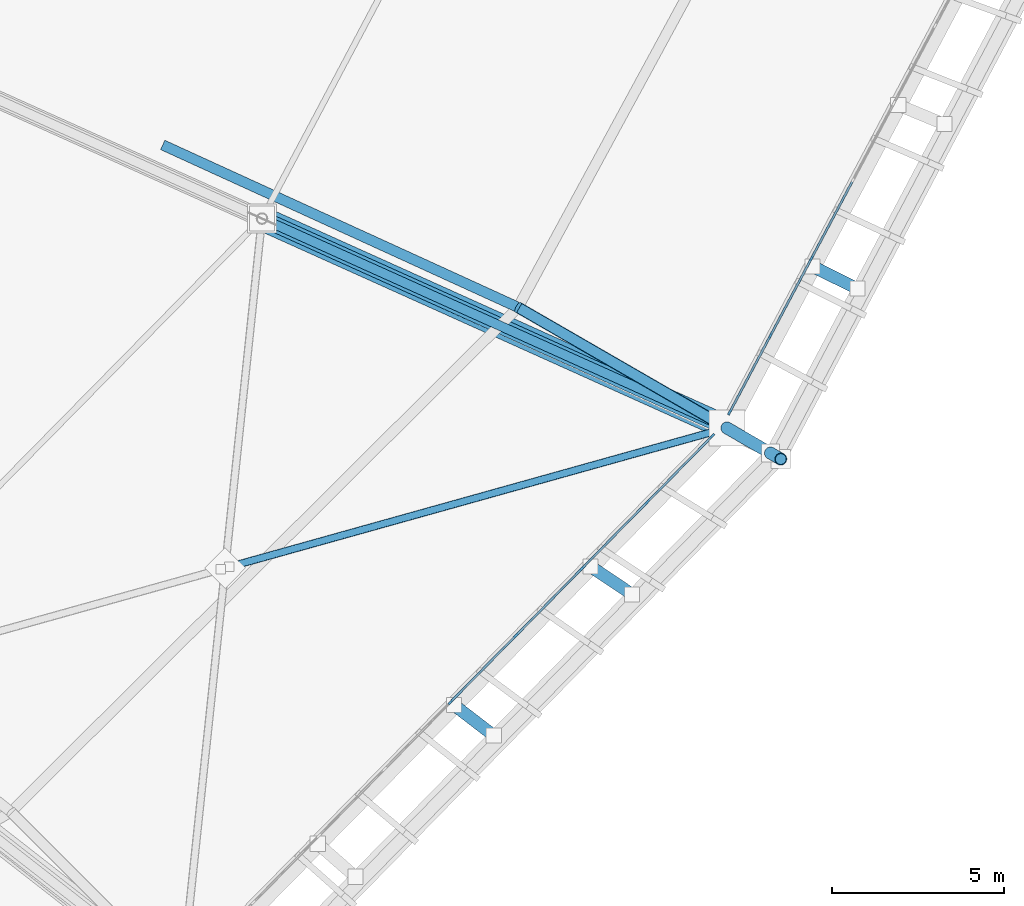
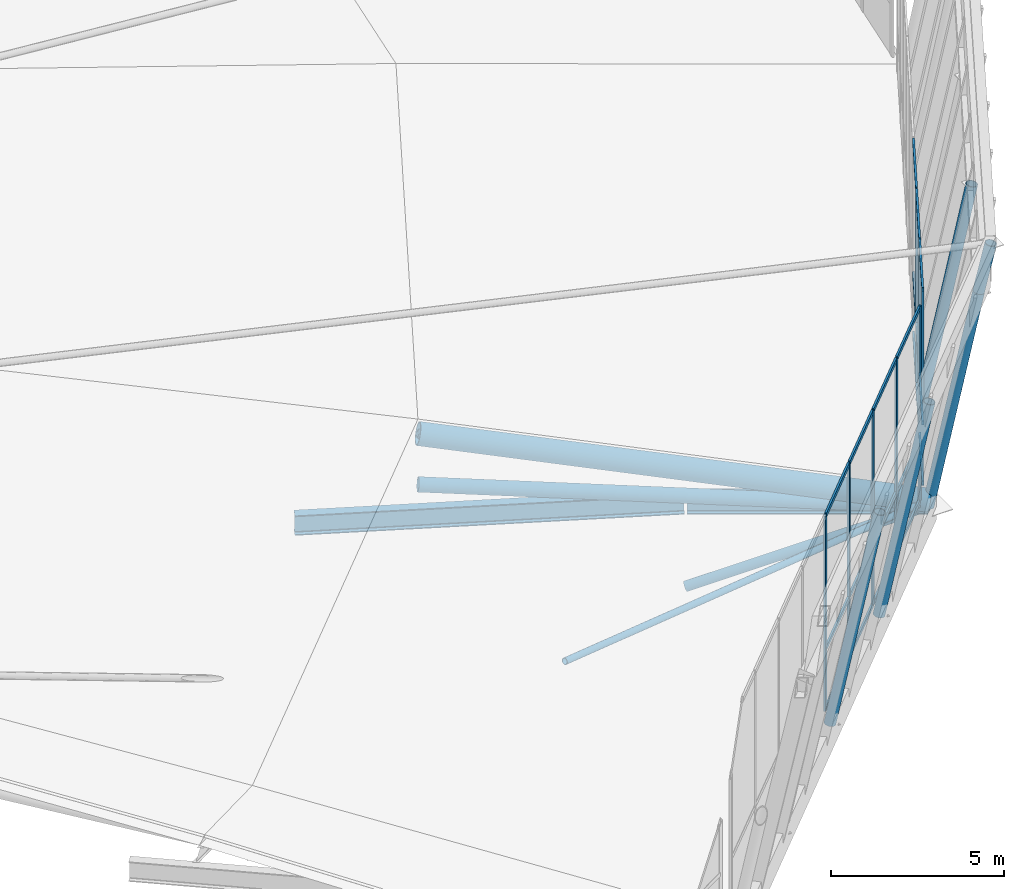
# One storey, part 45 of 115: 39 members, 2 beams, 2 elements without a shape of their own.
"""IFC4 building model written with IfcOpenShell, lengths in metres."""

from ifc_helpers import new_model, si_unit, direction, frame, origin, origin_2d, place, context, subcontext, project, spatial, rectangle, hollow_circle, i_section, extrude, material, material_profile, profile_set, type_object, element, aggregate, save


model = new_model("IFC4")

# Units and contexts
model_context = context("Model", 3, precision=1e-05, world=origin(), true_north=direction((0.0, 1.0)))
body_context = subcontext(model_context, "Body", "Model", "MODEL_VIEW")
ifc_project = project(units=[si_unit("LENGTHUNIT", "METRE"), si_unit("AREAUNIT", "SQUARE_METRE"), si_unit("VOLUMEUNIT", "CUBIC_METRE"), si_unit("PLANEANGLEUNIT", "RADIAN"), si_unit("MASSUNIT", "GRAM", prefix="KILO")], contexts=[model_context])

# Site, building, storey
site_placement = place(None, origin())
site = spatial("IfcSite", under=ifc_project, at=site_placement, CompositionType="ELEMENT")
building_placement = place(site_placement, origin())
building = spatial("IfcBuilding", under=site, at=building_placement, Name="Zlatoyarsky Gate Stadium", CompositionType="ELEMENT")
storey_placement = place(building_placement, frame((0.0, 0.0, 31.800048828125)))
storey = spatial("IfcBuildingStorey", under=building, at=storey_placement, Name="RF", CompositionType="ELEMENT", Elevation=31.800048828125)

# Curtain wall, members
ifc_material_1 = material(Name="Thermally broken anodised aluminium curtain wall", Category="aluminium")
curtain_wall_type = type_object("IfcCurtainWallType", Name="UNITISED SKYBOX RING GLAZING L05", PredefinedType="USERDEFINED", material=ifc_material_1)
curtain_wall_1_placement = place(storey_placement, origin())
curtain_wall_1 = element("IfcCurtainWall", 1, at=curtain_wall_1_placement, inside=storey, type_object=curtain_wall_type, Name="Curtain wall CW-RF-21", ObjectType="UNITISED GLAZING", PredefinedType="USERDEFINED")
ifc_material_2 = material(Name="Anodised aluminium 6063-T6", Category="aluminium")
ifc_material_profile_1 = material_profile(ifc_material_2, rectangle(XDim=0.06494140625, YDim=0.159912109375, at=origin_2d()), Name="ALU 65X160")
ifc_profile_set_1 = profile_set([ifc_material_profile_1], Name="Anodised aluminium 6063-T6")
member_type_1 = type_object("IfcMemberType", Name="ALUMINIUM MULLION 65X160", PredefinedType="MULLION", material=ifc_profile_set_1)
member_1_placement = place(storey_placement, frame((189.568115234375, 32.99072265625, 0.0), z_axis=(0.0, 0.0, 1.0), x_axis=(-0.712766053473, 0.701401848456, 0.0)))
member_1 = element("IfcMember", 2, at=member_1_placement, type_object=member_type_1, Name="CW-UG5 mullion 5", PredefinedType="MULLION", context=body_context, shape_type="SweptSolid", body=[
    extrude(rectangle(XDim=0.06494140625, YDim=0.159912109375, at=origin_2d()), origin(), (0.0, 0.0, 1.0), 6.89990234375),
])
member_2_placement = place(storey_placement, frame((191.482421875, 34.935791015625, 0.0), z_axis=(0.0, 0.0, 1.0), x_axis=(-0.712766053473, 0.701401848456, 0.0)))
member_2 = element("IfcMember", 3, at=member_2_placement, type_object=member_type_1, Name="CW-UG5 mullion 6", PredefinedType="MULLION", context=body_context, shape_type="SweptSolid", body=[
    extrude(rectangle(XDim=0.06494140625, YDim=0.159912109375, at=origin_2d()), origin(), (0.0, 0.0, 1.0), 6.89990234375),
])
member_3_placement = place(storey_placement, frame((193.396484375, 36.880859375, 0.0), z_axis=(0.0, 0.0, 1.0), x_axis=(-0.712766053473, 0.701401848456, 0.0)))
member_3 = element("IfcMember", 4, at=member_3_placement, type_object=member_type_1, Name="CW-UG5 mullion 7", PredefinedType="MULLION", context=body_context, shape_type="SweptSolid", body=[
    extrude(rectangle(XDim=0.06494140625, YDim=0.159912109375, at=origin_2d()), origin(), (0.0, 0.0, 1.0), 6.89990234375),
])
member_4_placement = place(storey_placement, frame((195.310546875, 38.825927734375, 0.0), z_axis=(0.0, 0.0, 1.0), x_axis=(-0.712766053473, 0.701401848456, 0.0)))
member_4 = element("IfcMember", 5, at=member_4_placement, type_object=member_type_1, Name="CW-UG5 mullion 8", PredefinedType="MULLION", context=body_context, shape_type="SweptSolid", body=[
    extrude(rectangle(XDim=0.06494140625, YDim=0.159912109375, at=origin_2d()), origin(), (0.0, 0.0, 1.0), 6.89990234375),
])
member_5_placement = place(storey_placement, frame((197.201904296875, 40.748046875, 0.0), z_axis=(0.0, 0.0, 1.0), x_axis=(-0.712766053473, 0.701401848456, 0.0)))
member_5 = element("IfcMember", 6, at=member_5_placement, type_object=member_type_1, Name="CW-UG5 mullion 9", PredefinedType="MULLION", context=body_context, shape_type="SweptSolid", body=[
    extrude(rectangle(XDim=0.06494140625, YDim=0.159912109375, at=origin_2d()), origin(), (0.0, 0.0, 1.0), 6.89990234375),
])

curtain_wall_2_placement = place(storey_placement, origin())
curtain_wall_2 = element("IfcCurtainWall", 7, at=curtain_wall_2_placement, inside=storey, type_object=curtain_wall_type, Name="Curtain wall CW-RF-22", ObjectType="UNITISED GLAZING", PredefinedType="USERDEFINED")
member_6_placement = place(storey_placement, frame((197.708251953125, 41.438232421875, 0.0), z_axis=(0.0, 0.0, 1.0), x_axis=(-0.883130898599, 0.469126652345, 0.0)))
member_6 = element("IfcMember", 8, at=member_6_placement, type_object=member_type_1, Name="CW-UG5 mullion 1", PredefinedType="MULLION", context=body_context, shape_type="SweptSolid", body=[
    extrude(rectangle(XDim=0.06494140625, YDim=0.159912109375, at=origin_2d()), origin(), (0.0, 0.0, 1.0), 6.89990234375),
])
member_7_placement = place(storey_placement, frame((198.893310546875, 43.669189453125, 0.0), z_axis=(0.0, 0.0, 1.0), x_axis=(-0.883130898599, 0.469126652345, 0.0)))
member_7 = element("IfcMember", 9, at=member_7_placement, type_object=member_type_1, Name="CW-UG5 mullion 2", PredefinedType="MULLION", context=body_context, shape_type="SweptSolid", body=[
    extrude(rectangle(XDim=0.06494140625, YDim=0.159912109375, at=origin_2d()), origin(), (0.0, 0.0, 1.0), 6.89990234375),
])
member_8_placement = place(storey_placement, frame((200.09375, 45.92919921875, 0.0), z_axis=(0.0, 0.0, 1.0), x_axis=(-0.883130898599, 0.469126652345, 0.0)))
member_8 = element("IfcMember", 10, at=member_8_placement, type_object=member_type_1, Name="CW-UG5 mullion 3", PredefinedType="MULLION", context=body_context, shape_type="SweptSolid", body=[
    extrude(rectangle(XDim=0.06494140625, YDim=0.159912109375, at=origin_2d()), origin(), (0.0, 0.0, 1.0), 6.89990234375),
])

# Member
ifc_material_profile_2 = material_profile(ifc_material_2, rectangle(XDim=0.06494140625, YDim=0.139892578125, at=origin_2d()), Name="ALU 65X140")
ifc_profile_set_2 = profile_set([ifc_material_profile_2], Name="Anodised aluminium 6063-T6")
member_type_2 = type_object("IfcMemberType", Name="ALUMINIUM TRANSOM 65X140", PredefinedType="USERDEFINED", material=ifc_profile_set_2)
member_9_placement = place(storey_placement, frame((189.591064453125, 33.013916015625, 0.032470703125), z_axis=(0.701401615361, 0.712766282851, 0.0), x_axis=(-0.712766282851, 0.701401615361, 0.0)))
member_9 = element("IfcMember", 11, at=member_9_placement, type_object=member_type_2, Name="CW-UG5 transom 5.1", ObjectType="TRANSOM", PredefinedType="USERDEFINED", context=body_context, shape_type="SweptSolid", body=[
    extrude(rectangle(XDim=0.06494140625, YDim=0.139892578125, at=origin_2d()), origin(), (0.0, 0.0, 1.0), 2.663818359375),
])

member_10_placement = place(storey_placement, frame((189.591064453125, 33.013916015625, 2.14990234375), z_axis=(0.701401615361, 0.712766282851, 0.0), x_axis=(-0.712766282851, 0.701401615361, 0.0)))
member_10 = element("IfcMember", 12, at=member_10_placement, type_object=member_type_2, Name="CW-UG5 transom 5.2", ObjectType="TRANSOM", PredefinedType="USERDEFINED", context=body_context, shape_type="SweptSolid", body=[
    extrude(rectangle(XDim=0.06494140625, YDim=0.139892578125, at=origin_2d()), origin(), (0.0, 0.0, 1.0), 2.663818359375),
])

member_11_placement = place(storey_placement, frame((189.591064453125, 33.013916015625, 6.867431640625), z_axis=(0.701401615361, 0.712766282851, 0.0), x_axis=(-0.712766282851, 0.701401615361, 0.0)))
member_11 = element("IfcMember", 13, at=member_11_placement, type_object=member_type_2, Name="CW-UG5 transom 5.3", ObjectType="TRANSOM", PredefinedType="USERDEFINED", context=body_context, shape_type="SweptSolid", body=[
    extrude(rectangle(XDim=0.06494140625, YDim=0.139892578125, at=origin_2d()), origin(), (0.0, 0.0, 1.0), 2.663818359375),
])

member_12_placement = place(storey_placement, frame((191.505126953125, 34.958984375, 0.032470703125), z_axis=(0.701401615361, 0.712766282851, 0.0), x_axis=(-0.712766282851, 0.701401615361, 0.0)))
member_12 = element("IfcMember", 14, at=member_12_placement, type_object=member_type_2, Name="CW-UG5 transom 6.1", ObjectType="TRANSOM", PredefinedType="USERDEFINED", context=body_context, shape_type="SweptSolid", body=[
    extrude(rectangle(XDim=0.06494140625, YDim=0.139892578125, at=origin_2d()), origin(), (0.0, 0.0, 1.0), 2.663818359375),
])

member_13_placement = place(storey_placement, frame((191.505126953125, 34.958984375, 2.14990234375), z_axis=(0.701401615361, 0.712766282851, 0.0), x_axis=(-0.712766282851, 0.701401615361, 0.0)))
member_13 = element("IfcMember", 15, at=member_13_placement, type_object=member_type_2, Name="CW-UG5 transom 6.2", ObjectType="TRANSOM", PredefinedType="USERDEFINED", context=body_context, shape_type="SweptSolid", body=[
    extrude(rectangle(XDim=0.06494140625, YDim=0.139892578125, at=origin_2d()), origin(), (0.0, 0.0, 1.0), 2.663818359375),
])

member_14_placement = place(storey_placement, frame((191.505126953125, 34.958984375, 6.867431640625), z_axis=(0.701401615361, 0.712766282851, 0.0), x_axis=(-0.712766282851, 0.701401615361, 0.0)))
member_14 = element("IfcMember", 16, at=member_14_placement, type_object=member_type_2, Name="CW-UG5 transom 6.3", ObjectType="TRANSOM", PredefinedType="USERDEFINED", context=body_context, shape_type="SweptSolid", body=[
    extrude(rectangle(XDim=0.06494140625, YDim=0.139892578125, at=origin_2d()), origin(), (0.0, 0.0, 1.0), 2.663818359375),
])

member_15_placement = place(storey_placement, frame((193.419189453125, 36.904052734375, 0.032470703125), z_axis=(0.701401615361, 0.712766282851, 0.0), x_axis=(-0.712766282851, 0.701401615361, 0.0)))
member_15 = element("IfcMember", 17, at=member_15_placement, type_object=member_type_2, Name="CW-UG5 transom 7.1", ObjectType="TRANSOM", PredefinedType="USERDEFINED", context=body_context, shape_type="SweptSolid", body=[
    extrude(rectangle(XDim=0.06494140625, YDim=0.139892578125, at=origin_2d()), origin(), (0.0, 0.0, 1.0), 2.663818359375),
])

member_16_placement = place(storey_placement, frame((193.419189453125, 36.904052734375, 2.14990234375), z_axis=(0.701401615361, 0.712766282851, 0.0), x_axis=(-0.712766282851, 0.701401615361, 0.0)))
member_16 = element("IfcMember", 18, at=member_16_placement, type_object=member_type_2, Name="CW-UG5 transom 7.2", ObjectType="TRANSOM", PredefinedType="USERDEFINED", context=body_context, shape_type="SweptSolid", body=[
    extrude(rectangle(XDim=0.06494140625, YDim=0.139892578125, at=origin_2d()), origin(), (0.0, 0.0, 1.0), 2.663818359375),
])

member_17_placement = place(storey_placement, frame((193.419189453125, 36.904052734375, 6.867431640625), z_axis=(0.701401615361, 0.712766282851, 0.0), x_axis=(-0.712766282851, 0.701401615361, 0.0)))
member_17 = element("IfcMember", 19, at=member_17_placement, type_object=member_type_2, Name="CW-UG5 transom 7.3", ObjectType="TRANSOM", PredefinedType="USERDEFINED", context=body_context, shape_type="SweptSolid", body=[
    extrude(rectangle(XDim=0.06494140625, YDim=0.139892578125, at=origin_2d()), origin(), (0.0, 0.0, 1.0), 2.663818359375),
])

member_18_placement = place(storey_placement, frame((195.333251953125, 38.84912109375, 0.032470703125), z_axis=(0.701378106075, 0.712789416531, 0.0), x_axis=(-0.712789416531, 0.701378106075, 0.0)))
member_18 = element("IfcMember", 20, at=member_18_placement, type_object=member_type_2, Name="CW-UG5 transom 8.1", ObjectType="TRANSOM", PredefinedType="USERDEFINED", context=body_context, shape_type="SweptSolid", body=[
    extrude(rectangle(XDim=0.06494140625, YDim=0.139892578125, at=origin_2d()), origin(), (0.0, 0.0, 1.0), 2.631591796875),
])

member_19_placement = place(storey_placement, frame((195.333251953125, 38.84912109375, 2.14990234375), z_axis=(0.701378106075, 0.712789416531, 0.0), x_axis=(-0.712789416531, 0.701378106075, 0.0)))
member_19 = element("IfcMember", 21, at=member_19_placement, type_object=member_type_2, Name="CW-UG5 transom 8.2", ObjectType="TRANSOM", PredefinedType="USERDEFINED", context=body_context, shape_type="SweptSolid", body=[
    extrude(rectangle(XDim=0.06494140625, YDim=0.139892578125, at=origin_2d()), origin(), (0.0, 0.0, 1.0), 2.631591796875),
])

member_20_placement = place(storey_placement, frame((195.333251953125, 38.84912109375, 6.867431640625), z_axis=(0.701378106075, 0.712789416531, 0.0), x_axis=(-0.712789416531, 0.701378106075, 0.0)))
member_20 = element("IfcMember", 22, at=member_20_placement, type_object=member_type_2, Name="CW-UG5 transom 8.3", ObjectType="TRANSOM", PredefinedType="USERDEFINED", context=body_context, shape_type="SweptSolid", body=[
    extrude(rectangle(XDim=0.06494140625, YDim=0.139892578125, at=origin_2d()), origin(), (0.0, 0.0, 1.0), 2.631591796875),
])

aggregate(curtain_wall_1, [member_1, member_2, member_3, member_4, member_5, member_9, member_10, member_11, member_12, member_13, member_14, member_15, member_16, member_17, member_18, member_19, member_20])

member_21_placement = place(storey_placement, frame((197.723388671875, 41.466796875, 0.032470703125), z_axis=(0.469135887796, 0.883125992587, 0.0), x_axis=(-0.883125992587, 0.469135887796, 0.0)))
member_21 = element("IfcMember", 23, at=member_21_placement, type_object=member_type_2, Name="CW-UG5 transom 1.1", ObjectType="TRANSOM", PredefinedType="USERDEFINED", context=body_context, shape_type="SweptSolid", body=[
    extrude(rectangle(XDim=0.06494140625, YDim=0.139892578125, at=origin_2d()), origin(), (0.0, 0.0, 1.0), 2.46142578125),
])

member_22_placement = place(storey_placement, frame((197.723388671875, 41.466796875, 2.14990234375), z_axis=(0.469135887796, 0.883125992587, 0.0), x_axis=(-0.883125992587, 0.469135887796, 0.0)))
member_22 = element("IfcMember", 24, at=member_22_placement, type_object=member_type_2, Name="CW-UG5 transom 1.2", ObjectType="TRANSOM", PredefinedType="USERDEFINED", context=body_context, shape_type="SweptSolid", body=[
    extrude(rectangle(XDim=0.06494140625, YDim=0.139892578125, at=origin_2d()), origin(), (0.0, 0.0, 1.0), 2.46142578125),
])

member_23_placement = place(storey_placement, frame((197.723388671875, 41.466796875, 6.867431640625), z_axis=(0.469135887796, 0.883125992587, 0.0), x_axis=(-0.883125992587, 0.469135887796, 0.0)))
member_23 = element("IfcMember", 25, at=member_23_placement, type_object=member_type_2, Name="CW-UG5 transom 1.3", ObjectType="TRANSOM", PredefinedType="USERDEFINED", context=body_context, shape_type="SweptSolid", body=[
    extrude(rectangle(XDim=0.06494140625, YDim=0.139892578125, at=origin_2d()), origin(), (0.0, 0.0, 1.0), 2.46142578125),
])

member_24_placement = place(storey_placement, frame((198.90869140625, 43.697998046875, 0.032470703125), z_axis=(0.469124208683, 0.883132196688, 0.0), x_axis=(-0.883132196688, 0.469124208683, 0.0)))
member_24 = element("IfcMember", 26, at=member_24_placement, type_object=member_type_2, Name="CW-UG5 transom 2.1", ObjectType="TRANSOM", PredefinedType="USERDEFINED", context=body_context, shape_type="SweptSolid", body=[
    extrude(rectangle(XDim=0.06494140625, YDim=0.139892578125, at=origin_2d()), origin(), (0.0, 0.0, 1.0), 2.493896484375),
])

member_25_placement = place(storey_placement, frame((198.90869140625, 43.697998046875, 2.14990234375), z_axis=(0.469124208683, 0.883132196688, 0.0), x_axis=(-0.883132196688, 0.469124208683, 0.0)))
member_25 = element("IfcMember", 27, at=member_25_placement, type_object=member_type_2, Name="CW-UG5 transom 2.2", ObjectType="TRANSOM", PredefinedType="USERDEFINED", context=body_context, shape_type="SweptSolid", body=[
    extrude(rectangle(XDim=0.06494140625, YDim=0.139892578125, at=origin_2d()), origin(), (0.0, 0.0, 1.0), 2.493896484375),
])

member_26_placement = place(storey_placement, frame((198.90869140625, 43.697998046875, 6.867431640625), z_axis=(0.469124208683, 0.883132196688, 0.0), x_axis=(-0.883132196688, 0.469124208683, 0.0)))
member_26 = element("IfcMember", 28, at=member_26_placement, type_object=member_type_2, Name="CW-UG5 transom 2.3", ObjectType="TRANSOM", PredefinedType="USERDEFINED", context=body_context, shape_type="SweptSolid", body=[
    extrude(rectangle(XDim=0.06494140625, YDim=0.139892578125, at=origin_2d()), origin(), (0.0, 0.0, 1.0), 2.493896484375),
])

member_27_placement = place(storey_placement, frame((200.10888671875, 45.957763671875, 0.032470703125), z_axis=(0.469124208683, 0.883132196688, 0.0), x_axis=(-0.883132196688, 0.469124208683, 0.0)))
member_27 = element("IfcMember", 29, at=member_27_placement, type_object=member_type_2, Name="CW-UG5 transom 3.1", ObjectType="TRANSOM", PredefinedType="USERDEFINED", context=body_context, shape_type="SweptSolid", body=[
    extrude(rectangle(XDim=0.06494140625, YDim=0.139892578125, at=origin_2d()), origin(), (0.0, 0.0, 1.0), 2.493896484375),
])

member_28_placement = place(storey_placement, frame((200.10888671875, 45.957763671875, 2.14990234375), z_axis=(0.469124208683, 0.883132196688, 0.0), x_axis=(-0.883132196688, 0.469124208683, 0.0)))
member_28 = element("IfcMember", 30, at=member_28_placement, type_object=member_type_2, Name="CW-UG5 transom 3.2", ObjectType="TRANSOM", PredefinedType="USERDEFINED", context=body_context, shape_type="SweptSolid", body=[
    extrude(rectangle(XDim=0.06494140625, YDim=0.139892578125, at=origin_2d()), origin(), (0.0, 0.0, 1.0), 2.493896484375),
])

member_29_placement = place(storey_placement, frame((200.10888671875, 45.957763671875, 6.867431640625), z_axis=(0.469124208683, 0.883132196688, 0.0), x_axis=(-0.883132196688, 0.469124208683, 0.0)))
member_29 = element("IfcMember", 31, at=member_29_placement, type_object=member_type_2, Name="CW-UG5 transom 3.3", ObjectType="TRANSOM", PredefinedType="USERDEFINED", context=body_context, shape_type="SweptSolid", body=[
    extrude(rectangle(XDim=0.06494140625, YDim=0.139892578125, at=origin_2d()), origin(), (0.0, 0.0, 1.0), 2.493896484375),
])

aggregate(curtain_wall_2, [member_6, member_7, member_8, member_21, member_22, member_23, member_24, member_25, member_26, member_27, member_28, member_29])

# Members
ifc_material_3 = material(Name="Steel S355", Category="steel")
ifc_material_profile_3 = material_profile(ifc_material_3, hollow_circle(Radius=0.228515625, WallThickness=0.02490234375, at=origin_2d()), Name="CHS 457X25")
ifc_profile_set_3 = profile_set([ifc_material_profile_3], Name="Steel S355")
member_type_3 = type_object("IfcMemberType", Name="STEEL ARCH BOTTOM CHORD CHS 457X25", PredefinedType="CHORD", material=ifc_profile_set_3)
member_30_placement = place(storey_placement, frame((197.62646484375, 40.986083984375, -0.449951171875), z_axis=(-0.905178236441, 0.407667849919, 0.120246764678), x_axis=(-0.410647494478, -0.911794184714, 0.0)))
element("IfcMember", 32, at=member_30_placement, inside=storey, type_object=member_type_3, Name="Radial truss R23 bottom chord 1", PredefinedType="CHORD", context=body_context, shape_type="SweptSolid", body=[
    extrude(hollow_circle(Radius=0.228515625, WallThickness=0.02490234375, at=origin_2d()), origin(), (0.0, 0.0, 1.0), 14.967529296875),
])
ifc_material_profile_4 = material_profile(ifc_material_3, hollow_circle(Radius=0.35546875, WallThickness=0.031982421875, at=origin_2d()), Name="CHS 711X32")
ifc_profile_set_4 = profile_set([ifc_material_profile_4], Name="Steel S355")
member_type_4 = type_object("IfcMemberType", Name="STEEL ARCH TOP CHORD CHS 711X32", PredefinedType="CHORD", material=ifc_profile_set_4)
member_31_placement = place(storey_placement, frame((197.62646484375, 40.986083984375, -0.25), z_axis=(-0.888824010975, 0.400302348115, 0.223046873118), x_axis=(-0.410647494478, -0.911794184714, 0.0)))
element("IfcMember", 33, at=member_31_placement, inside=storey, type_object=member_type_4, Name="Radial truss R23 top chord 1", PredefinedType="CHORD", context=body_context, shape_type="SweptSolid", body=[
    extrude(hollow_circle(Radius=0.35546875, WallThickness=0.031982421875, at=origin_2d()), origin(), (0.0, 0.0, 1.0), 15.242919921875),
])
ifc_material_profile_5 = material_profile(ifc_material_3, hollow_circle(Radius=0.109619140625, WallThickness=0.012451171875, at=origin_2d()), Name="CHS 219.1X12.5")
ifc_profile_set_5 = profile_set([ifc_material_profile_5], Name="Steel S355")
member_type_5 = type_object("IfcMemberType", Name="STEEL CANOPY WIND BRACE CHS 219.1X12.5", PredefinedType="BRACE", material=ifc_profile_set_5)
member_32_placement = place(storey_placement, frame((197.62646484375, 40.986083984375, -0.25), z_axis=(-0.956098859598, -0.267085607879, 0.120582953768), x_axis=(0.269048788447, -0.963126549024, 0.0)))
element("IfcMember", 34, at=member_32_placement, inside=storey, type_object=member_type_5, Name="Roof wind X-brace split half-diagonal 21A", PredefinedType="BRACE", context=body_context, shape_type="SweptSolid", body=[
    extrude(hollow_circle(Radius=0.109619140625, WallThickness=0.012451171875, at=origin_2d()), origin(), (0.0, 0.0, 1.0), 15.164794921875),
])
ifc_material_profile_6 = material_profile(ifc_material_3, hollow_circle(Radius=0.177734375, WallThickness=0.02001953125, at=origin_2d()), Name="CHS 355.6X20")
ifc_profile_set_6 = profile_set([ifc_material_profile_6], Name="Steel S355")
member_type_6 = type_object("IfcMemberType", Name="STEEL LEANING RIB RING STRUT CHS 355.6X20", PredefinedType="STRUT", material=ifc_profile_set_6)
member_33_placement = place(storey_placement, frame((189.67822265625, 32.90625, -0.449951171875), z_axis=(0.14920522339, -0.114498996761, 0.982154662491), x_axis=(0.608794232093, 0.793328168522, 0.0)))
element("IfcMember", 35, at=member_33_placement, inside=storey, type_object=member_type_6, Name="Outward-leaning bowl louvre fin rib RF 21-2", PredefinedType="STRUT", context=body_context, shape_type="SweptSolid", body=[
    extrude(hollow_circle(Radius=0.177734375, WallThickness=0.02001953125, at=origin_2d()), origin(), (0.0, 0.0, 1.0), 7.738037109375),
])
member_34_placement = place(storey_placement, frame((193.65234375, 36.9462890625, -0.449951171875), z_axis=(0.156702913469, -0.104678934345, 0.98208274479), x_axis=(0.555472627278, 0.831534822088, 0.0)))
element("IfcMember", 36, at=member_34_placement, inside=storey, type_object=member_type_6, Name="Outward-leaning bowl louvre fin rib RF 21-3", PredefinedType="STRUT", context=body_context, shape_type="SweptSolid", body=[
    extrude(hollow_circle(Radius=0.177734375, WallThickness=0.02001953125, at=origin_2d()), origin(), (0.0, 0.0, 1.0), 7.738525390625),
])
member_35_placement = place(storey_placement, frame((197.62646484375, 40.986083984375, -0.449951171875), z_axis=(0.164205633547, -0.094814086524, 0.98185884877), x_axis=(0.500039236423, 0.86600274944, 0.0)))
element("IfcMember", 37, at=member_35_placement, inside=storey, type_object=member_type_6, Name="Outward-leaning crown fascia lower post 22", PredefinedType="STRUT", context=body_context, shape_type="SweptSolid", body=[
    extrude(hollow_circle(Radius=0.177734375, WallThickness=0.02001953125, at=origin_2d()), origin(), (0.0, 0.0, 1.0), 7.740234375),
])
member_36_placement = place(storey_placement, frame((198.8974609375, 40.252197265625, 7.14990234375), z_axis=(0.174166252247, -0.100448064705, 0.979579656218), x_axis=(0.499601298118, 0.866255472086, 0.0)))
element("IfcMember", 38, at=member_36_placement, inside=storey, type_object=member_type_6, Name="Outward-leaning crown fascia upper post 22", PredefinedType="STRUT", context=body_context, shape_type="SweptSolid", body=[
    extrude(hollow_circle(Radius=0.177734375, WallThickness=0.02001953125, at=origin_2d()), origin(), (0.0, 0.0, 1.0), 1.7353515625),
])
member_37_placement = place(storey_placement, frame((200.12451171875, 45.69091796875, -0.449951171875), z_axis=(0.169006276833, -0.083414708969, 0.982078848524), x_axis=(0.442587577517, 0.896725284704, 0.0)))
element("IfcMember", 39, at=member_37_placement, inside=storey, type_object=member_type_6, Name="Outward-leaning bowl louvre fin rib RF 22-1", PredefinedType="STRUT", context=body_context, shape_type="SweptSolid", body=[
    extrude(hollow_circle(Radius=0.177734375, WallThickness=0.02001953125, at=origin_2d()), origin(), (0.0, 0.0, 1.0), 7.738525390625),
])

# Beams
ifc_material_profile_7 = material_profile(ifc_material_3, i_section(OverallWidth=0.300048828125, OverallDepth=0.699951171875, WebThickness=0.01708984375, FlangeThickness=0.031982421875, FilletRadius=0.027099609375, at=origin_2d()), Name="HEB 700")
ifc_profile_set_7 = profile_set([ifc_material_profile_7], Name="Steel S355")
beam_type = type_object("IfcBeamType", Name="STEEL ROOF RING GIRDER HEB 700", PredefinedType="BEAM", material=ifc_profile_set_7)
beam_1_placement = place(storey_placement, frame((181.1845703125, 49.2333984375, -0.300048828125), z_axis=(0.909494931213, -0.415715010671, 0.0), x_axis=(0.415715010671, 0.909494931213, 0.0)))
element("IfcBeam", 40, at=beam_1_placement, inside=storey, type_object=beam_type, Name="RF roof tie girder BM-RF-RBC-22", PredefinedType="BEAM", context=body_context, shape_type="SweptSolid", body=[
    extrude(i_section(OverallWidth=0.300048828125, OverallDepth=0.699951171875, WebThickness=0.01708984375, FlangeThickness=0.031982421875, FilletRadius=0.027099609375, at=origin_2d()), origin(), (0.0, 0.0, 1.0), 11.34619140625),
])
beam_2_placement = place(storey_placement, frame((191.574951171875, 44.47998046875, -0.300048828125), z_axis=(0.866022092401, -0.50000573544, 0.0), x_axis=(0.50000573544, 0.866022092401, 0.0)))
element("IfcBeam", 41, at=beam_2_placement, inside=storey, type_object=beam_type, Name="RF roof tie girder BM-RF-COUT-22", PredefinedType="BEAM", context=body_context, shape_type="SweptSolid", body=[
    extrude(i_section(OverallWidth=0.300048828125, OverallDepth=0.699951171875, WebThickness=0.01708984375, FlangeThickness=0.031982421875, FilletRadius=0.027099609375, at=origin_2d()), origin(), (0.0, 0.0, 1.0), 6.98779296875),
])

# Members
ifc_material_profile_8 = material_profile(ifc_material_3, hollow_circle(Radius=0.136474609375, WallThickness=0.01611328125, at=origin_2d()), Name="CHS 273X16")
ifc_profile_set_8 = profile_set([ifc_material_profile_8], Name="Steel S355")
member_type_7 = type_object("IfcMemberType", Name="STEEL ROOF TRUSS DIAGONAL CHS 273X16", PredefinedType="BRACE", material=ifc_profile_set_8)
member_38_placement = place(storey_placement, frame((197.62646484375, 40.986083984375, -0.449951171875), z_axis=(-0.886159022345, 0.399102109156, 0.235456351758), x_axis=(-0.410647494478, -0.911794184714, 0.0)))
element("IfcMember", 42, at=member_38_placement, inside=storey, type_object=member_type_7, Name="Radial truss R23 web diagonal 1", PredefinedType="BRACE", context=body_context, shape_type="SweptSolid", body=[
    extrude(hollow_circle(Radius=0.136474609375, WallThickness=0.01611328125, at=origin_2d()), origin(), (0.0, 0.0, 1.0), 15.288818359375),
])
ifc_material_profile_9 = material_profile(ifc_material_3, hollow_circle(Radius=0.161865234375, WallThickness=0.01611328125, at=origin_2d()), Name="CHS 323.9X16")
ifc_profile_set_9 = profile_set([ifc_material_profile_9], Name="Steel S355")
member_type_8 = type_object("IfcMemberType", Name="STEEL TRUSS WEB STRUT CHS 323.9X16", PredefinedType="STRUT", material=ifc_profile_set_9)
member_39_placement = place(storey_placement, frame((191.540283203125, 44.5, -3.300048828125), z_axis=(0.802536248055, -0.463352088662, 0.37581965421), x_axis=(0.500006126462, 0.866021866641, 0.0)))
element("IfcMember", 43, at=member_39_placement, inside=storey, type_object=member_type_8, Name="Arch heel prop 22", PredefinedType="STRUT", context=body_context, shape_type="SweptSolid", body=[
    extrude(hollow_circle(Radius=0.161865234375, WallThickness=0.01611328125, at=origin_2d()), origin(), (0.0, 0.0, 1.0), 7.583740234375),
])

save(model, "model.ifc")
